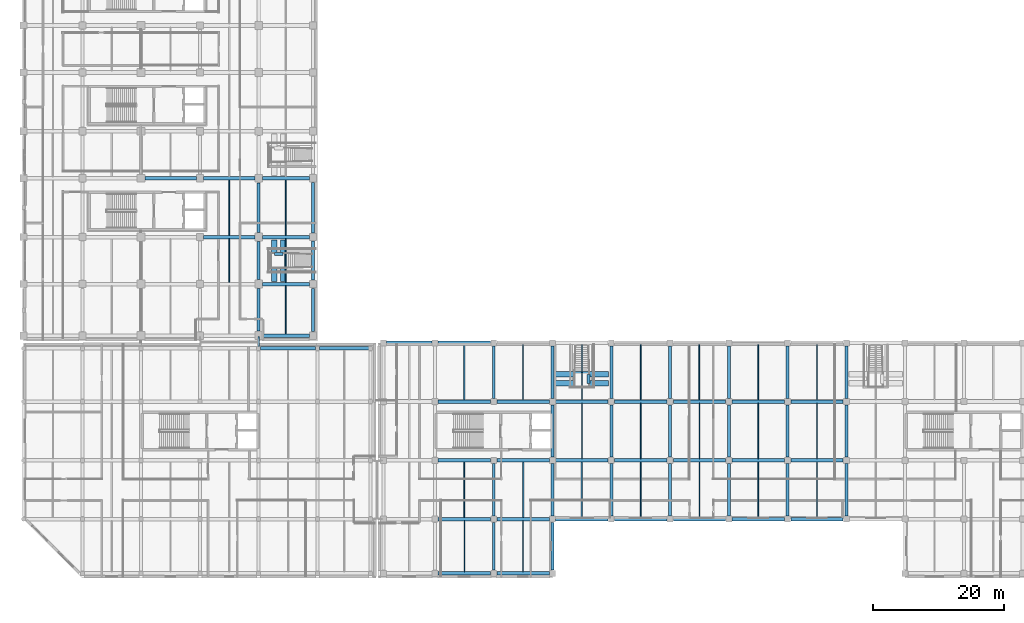
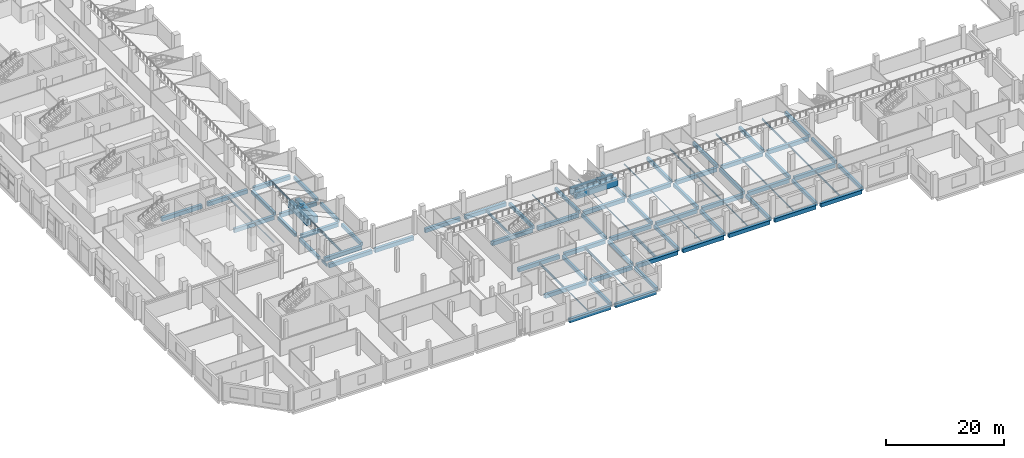
# One storey, part 10 of 100: 95 beams.
"""IFC4 building model written with IfcOpenShell, lengths in metres."""

import ifcopenshell
import ifcopenshell.guid

model = None  # the IFC model being written
_history = None  # IfcOwnerHistory: only IFC2X3 demands one
_inside = {}  # id of a spatial element -> (the spatial element, [elements in it])
_under = {}  # id of a project, library or spatial element -> (it, [spatial elements below it])
_declared = {}  # id of a project -> (the project, [libraries it declares])
_typed = {}  # id of a type object -> (the type object, [elements of that type])
_made_of = {}  # id of a material, layer set ... -> (it, [elements and type objects made of it])


def new_model(schema):
    """Start an empty IFC model of exactly this schema.

    Asked for "IFC4X3", IfcOpenShell would pick the latest addendum, in which some entities
    have other attributes; the version numbers below select the first issue.
    IFC2X3 requires an IfcOwnerHistory on every rooted entity: one is made here for all.
    """
    global model, _history
    if schema == "IFC4X3":
        model = ifcopenshell.file(schema_version=(4, 3, 0, 0))
    else:
        model = ifcopenshell.file(schema=schema)
    _inside.clear()
    _under.clear()
    _declared.clear()
    _typed.clear()
    _made_of.clear()
    _history = None
    if model.schema == "IFC2X3":
        org = make("IfcOrganization", Name="unknown")
        user = make(
            "IfcPersonAndOrganization",
            ThePerson=make("IfcPerson", FamilyName="unknown"),
            TheOrganization=org,
        )
        app = make(
            "IfcApplication",
            ApplicationDeveloper=org,
            Version="unknown",
            ApplicationFullName="unknown",
            ApplicationIdentifier="unknown",
        )
        _history = make(
            "IfcOwnerHistory",
            OwningUser=user,
            OwningApplication=app,
            ChangeAction="ADDED",
            CreationDate=0,
        )
    return model


def make(cls, **values):
    """One entity of the class cls with the attributes given. An attribute that is None is left unset."""
    return model.create_entity(
        cls, **{name: value for name, value in values.items() if value is not None}
    )


def rooted(cls, **values):
    """An entity with a GlobalId (a new one), such as an element, a storey or a relation."""
    return make(cls, GlobalId=ifcopenshell.guid.new(), OwnerHistory=_history, **values)


def si_unit(unit_type, name, prefix=None):
    """IfcSIUnit, for example si_unit("LENGTHUNIT", "METRE", prefix="MILLI")."""
    return make("IfcSIUnit", UnitType=unit_type, Prefix=prefix, Name=name)


def assignment(units):
    """IfcUnitAssignment: the units of a project."""
    return None if units is None else make("IfcUnitAssignment", Units=units)


def point(xyz):
    """IfcCartesianPoint."""
    return None if xyz is None else make("IfcCartesianPoint", Coordinates=xyz)


def direction(xyz):
    """IfcDirection."""
    return None if xyz is None else make("IfcDirection", DirectionRatios=xyz)


def frame(location, z_axis=None, x_axis=None):
    """IfcAxis2Placement3D, a coordinate frame: its origin and axes. An axis left out is left unset."""
    return make(
        "IfcAxis2Placement3D",
        Location=point(location),
        Axis=direction(z_axis),
        RefDirection=direction(x_axis),
    )


def frame_2d(location, x_axis=None):
    """IfcAxis2Placement2D, a coordinate frame in the plane: its origin and x axis."""
    return make(
        "IfcAxis2Placement2D", Location=point(location), RefDirection=direction(x_axis)
    )


def origin():
    """The frame at (0, 0, 0) with its axes left unset."""
    return frame((0.0, 0.0, 0.0))


def origin_2d():
    """The frame at (0, 0) in the plane with its x axis left unset."""
    return frame_2d((0.0, 0.0))


def place(relative_to, where):
    """IfcLocalPlacement: puts the frame where relative to a parent placement (None: the world)."""
    return make(
        "IfcLocalPlacement", PlacementRelTo=relative_to, RelativePlacement=where
    )


def context(
    kind, dimensions, precision=None, world=None, true_north=None, identifier=None
):
    """IfcGeometricRepresentationContext, for example the 3D "Model" context."""
    return make(
        "IfcGeometricRepresentationContext",
        ContextIdentifier=identifier,
        ContextType=kind,
        CoordinateSpaceDimension=dimensions,
        Precision=precision,
        WorldCoordinateSystem=world,
        TrueNorth=true_north,
    )


def subcontext(parent, identifier, kind, view, scale=None):
    """IfcGeometricRepresentationSubContext, for example "Body" below "Model"."""
    return make(
        "IfcGeometricRepresentationSubContext",
        ContextIdentifier=identifier,
        ContextType=kind,
        ParentContext=parent,
        TargetScale=scale,
        TargetView=view,
    )


def project(units=None, contexts=None):
    """IfcProject with its units and contexts."""
    return rooted(
        "IfcProject",
        Name="project",
        RepresentationContexts=contexts,
        UnitsInContext=assignment(units),
    )


def spatial(cls, under=None, at=None, **own):
    """A site, building, storey or space (cls), placed at a placement, below another one or the project."""
    s = rooted(cls, ObjectPlacement=at, **own)
    if under is not None:
        _under.setdefault(under.id(), (under, []))[1].append(s)
    return s


def profile(cls, at=None, kind="AREA", **sizes):
    """A parametric profile (cls). Its sizes go by their IFC names, for example OverallWidth=200.0."""
    return make(cls, ProfileType=kind, Position=at, **sizes)


def rectangle(**sizes):
    """IfcRectangleProfileDef."""
    return profile("IfcRectangleProfileDef", **sizes)


def hollow_rectangle(**sizes):
    """IfcRectangleHollowProfileDef."""
    return profile("IfcRectangleHollowProfileDef", **sizes)


def i_section(**sizes):
    """IfcIShapeProfileDef."""
    return profile("IfcIShapeProfileDef", **sizes)


def extrude(swept, where, along, depth):
    """IfcExtrudedAreaSolid: the profile swept, set in the frame where, extruded along a direction by depth."""
    return make(
        "IfcExtrudedAreaSolid",
        SweptArea=swept,
        Position=where,
        ExtrudedDirection=direction(along),
        Depth=depth,
    )


def shape(context_of_items, identifier, shape_type, items):
    """IfcShapeRepresentation: the items that make up one representation, for example the "Body"."""
    return make(
        "IfcShapeRepresentation",
        ContextOfItems=context_of_items,
        RepresentationIdentifier=identifier,
        RepresentationType=shape_type,
        Items=items,
    )


def material(Name=None, Category=None):
    """IfcMaterial."""
    return make("IfcMaterial", Name=Name, Category=Category)


def material_profile(
    of_material, cross_section, Name=None, Category=None, Priority=None
):
    """IfcMaterialProfile: a cross section and its material."""
    return make(
        "IfcMaterialProfile",
        Name=Name,
        Material=of_material,
        Profile=cross_section,
        Priority=Priority,
        Category=Category,
    )


def profile_set(profiles, Name=None, composite=None):
    """IfcMaterialProfileSet."""
    return make(
        "IfcMaterialProfileSet",
        Name=Name,
        MaterialProfiles=profiles,
        CompositeProfile=composite,
    )


def made_of(thing, what):
    """Note that an element or type object is made of a material, layer set ...; save() writes the relation."""
    if what is not None:
        _made_of.setdefault(what.id(), (what, []))[1].append(thing)
    return thing


def type_object(cls, material=None, **own):
    """A type object (cls), such as IfcWallType, which elements share."""
    return made_of(rooted(cls, **own), material)


def element(
    cls,
    number,
    at=None,
    inside=None,
    cuts=None,
    type_object=None,
    material=None,
    context=None,
    identifier="Body",
    shape_type=None,
    held_by="IfcProductDefinitionShape",
    body=None,
    shapes=None,
    **own,
):
    """One element of the class cls, such as IfcWall. Its Tag is "e" and its number.

    at: its placement. inside: the storey or other place that contains it. cuts: it is an
    opening in that element (IfcRelVoidsElement). A single representation is given by context,
    identifier, shape_type and body (its items); several are given by shapes. held_by: the class
    of the entity that holds the representations. save() writes the other relations.
    """
    e = rooted(cls, Tag="e%d" % number, ObjectPlacement=at, **own)
    if body is not None:
        shapes = [shape(context, identifier, shape_type, body)]
    if shapes is not None:
        e.Representation = make(held_by, Representations=shapes)
    if inside is not None:
        _inside.setdefault(inside.id(), (inside, []))[1].append(e)
    if cuts is not None:
        rooted(
            "IfcRelVoidsElement", RelatingBuildingElement=cuts, RelatedOpeningElement=e
        )
    if type_object is not None:
        _typed.setdefault(type_object.id(), (type_object, []))[1].append(e)
    return made_of(e, material)


def aggregate(whole, parts):
    """IfcRelAggregates: a whole, such as a stair, and the parts it consists of."""
    return rooted("IfcRelAggregates", RelatingObject=whole, RelatedObjects=parts)


def save(model, path):
    """Write the relations noted so far, then the file.

    IfcRelAggregates (storeys below a building ...), IfcRelContainedInSpatialStructure (elements
    in a storey), IfcRelDefinesByType, IfcRelAssociatesMaterial and IfcRelDeclares: one each for
    every whole, place, type object, material and project.
    """
    for whole, parts in _under.values():
        aggregate(whole, parts)
    for where, things in _inside.values():
        rooted(
            "IfcRelContainedInSpatialStructure",
            RelatedElements=things,
            RelatingStructure=where,
        )
    for kind, things in _typed.values():
        rooted("IfcRelDefinesByType", RelatedObjects=things, RelatingType=kind)
    for what, things in _made_of.values():
        rooted("IfcRelAssociatesMaterial", RelatedObjects=things, RelatingMaterial=what)
    for by, libraries in _declared.values():
        rooted("IfcRelDeclares", RelatingContext=by, RelatedDefinitions=libraries)
    model.write(path)


model = new_model("IFC4")

# Units and contexts
model_context = context("Model", 3, precision=1e-05, world=origin(), true_north=direction((0.0, 1.0)))
body_context = subcontext(model_context, "Body", "Model", "MODEL_VIEW")
ifc_project = project(units=[si_unit("LENGTHUNIT", "METRE"), si_unit("AREAUNIT", "SQUARE_METRE"), si_unit("VOLUMEUNIT", "CUBIC_METRE"), si_unit("PLANEANGLEUNIT", "RADIAN"), si_unit("MASSUNIT", "GRAM", prefix="KILO"), si_unit("THERMODYNAMICTEMPERATUREUNIT", "KELVIN"), si_unit("POWERUNIT", "WATT")], contexts=[model_context])

# Site, building, storey
site_placement = place(None, origin())
site = spatial("IfcSite", under=ifc_project, at=site_placement, CompositionType="ELEMENT")
building_placement = place(site_placement, origin())
building = spatial("IfcBuilding", under=site, at=building_placement, Name="Sindhuravela Promenade Stadium", CompositionType="ELEMENT")
storey_placement = place(building_placement, frame((0.0, 0.0, 4.800048828125)))
storey = spatial("IfcBuildingStorey", under=building, at=storey_placement, Name="L01", CompositionType="ELEMENT", Elevation=4.800048828125)

# Beams
ifc_material_1 = material(Name="Concrete M40", Category="concrete")
ifc_material_profile_1 = material_profile(ifc_material_1, rectangle(XDim=0.449951171875, YDim=0.699951171875, at=origin_2d()), Name="RC 450x700")
ifc_profile_set_1 = profile_set([ifc_material_profile_1], Name="Concrete M40")
beam_type_1 = type_object("IfcBeamType", Name="RC-BM-450x700", PredefinedType="BEAM", material=ifc_profile_set_1)
beam_1_placement = place(storey_placement, frame((36.0, 37.7900390625, -0.650146484375), z_axis=(0.0, 1.0, 0.0), x_axis=(-1.0, 0.0, 0.0)))
element("IfcBeam", 1, at=beam_1_placement, inside=storey, type_object=beam_type_1, Name="Primary beam GB07 WEST L01", PredefinedType="BEAM", context=body_context, shape_type="SweptSolid", body=[
    extrude(rectangle(XDim=0.449951171875, YDim=0.699951171875, at=origin_2d()), origin(), (0.0, 0.0, 1.0), 6.52001953125),
])
beam_2_placement = place(storey_placement, frame((36.0, 45.68994140625, -0.650146484375), z_axis=(0.0, 1.0, 0.0), x_axis=(-1.0, 0.0, 0.0)))
element("IfcBeam", 2, at=beam_2_placement, inside=storey, type_object=beam_type_1, Name="Primary beam GB07 WEST L01", PredefinedType="BEAM", context=body_context, shape_type="SweptSolid", body=[
    extrude(rectangle(XDim=0.449951171875, YDim=0.699951171875, at=origin_2d()), origin(), (0.0, 0.0, 1.0), 5.820068359375),
])
beam_3_placement = place(storey_placement, frame((36.0, 52.889892578125, -0.650146484375), z_axis=(0.0, 1.0, 0.0), x_axis=(-1.0, 0.0, 0.0)))
element("IfcBeam", 3, at=beam_3_placement, inside=storey, type_object=beam_type_1, Name="Primary beam GB07 WEST L01", PredefinedType="BEAM", context=body_context, shape_type="SweptSolid", body=[
    extrude(rectangle(XDim=0.449951171875, YDim=0.699951171875, at=origin_2d()), origin(), (0.0, 0.0, 1.0), 7.6201171875),
])
beam_4_placement = place(storey_placement, frame((44.300048828125, 37.739990234375, -0.650146484375), z_axis=(0.0, 1.0, 0.0), x_axis=(-1.0, 0.0, 0.0)))
element("IfcBeam", 4, at=beam_4_placement, inside=storey, type_object=beam_type_1, Name="Primary beam GB07 WEST L01", PredefinedType="BEAM", context=body_context, shape_type="SweptSolid", body=[
    extrude(rectangle(XDim=0.449951171875, YDim=0.699951171875, at=origin_2d()), origin(), (0.0, 0.0, 1.0), 6.6201171875),
])
beam_5_placement = place(storey_placement, frame((44.300048828125, 45.639892578125, -0.650146484375), z_axis=(0.0, 1.0, 0.0), x_axis=(-1.0, 0.0, 0.0)))
element("IfcBeam", 5, at=beam_5_placement, inside=storey, type_object=beam_type_1, Name="Primary beam GB07 WEST L01", PredefinedType="BEAM", context=body_context, shape_type="SweptSolid", body=[
    extrude(rectangle(XDim=0.449951171875, YDim=0.699951171875, at=origin_2d()), origin(), (0.0, 0.0, 1.0), 5.920166015625),
])
beam_6_placement = place(storey_placement, frame((44.300048828125, 52.840087890625, -0.650146484375), z_axis=(0.0, 1.0, 0.0), x_axis=(-1.0, 0.0, 0.0)))
element("IfcBeam", 6, at=beam_6_placement, inside=storey, type_object=beam_type_1, Name="Primary beam GB07 WEST L01", PredefinedType="BEAM", context=body_context, shape_type="SweptSolid", body=[
    extrude(rectangle(XDim=0.449951171875, YDim=0.699951171875, at=origin_2d()), origin(), (0.0, 0.0, 1.0), 7.719970703125),
])
beam_7_placement = place(storey_placement, frame((72.0, 1.18994140625, -0.650146484375), z_axis=(0.0, 1.0, 0.0), x_axis=(-1.0, 0.0, 0.0)))
element("IfcBeam", 7, at=beam_7_placement, inside=storey, type_object=beam_type_1, Name="Primary beam GB07 SOUTH L01", PredefinedType="BEAM", context=body_context, shape_type="SweptSolid", body=[
    extrude(rectangle(XDim=0.449951171875, YDim=0.699951171875, at=origin_2d()), origin(), (0.0, 0.0, 1.0), 7.320068359375),
])
for number, where, z_axis, x_axis, name in (
    (8, (72.0, 9.489990234375, -0.650146484375), (0.0, 1.0, 0.0), (-1.0, 0.0, 0.0), "Primary beam GB07 SOUTH L01"),
    (9, (72.0, 27.489990234375, -0.650146484375), (0.0, 1.0, 0.0), (-1.0, 0.0, 0.0), "Primary beam GB07 SOUTH L01"),
):
    element("IfcBeam", number, at=place(storey_placement, frame(where, z_axis=z_axis, x_axis=x_axis)), inside=storey, type_object=beam_type_1, Name=name, PredefinedType="BEAM", context=body_context, shape_type="SweptSolid", body=[
        extrude(rectangle(XDim=0.449951171875, YDim=0.699951171875, at=origin_2d()), origin(), (0.0, 0.0, 1.0), 8.02001953125),
    ])
beam_8_placement = place(storey_placement, frame((81.0, 1.18994140625, -0.650146484375), z_axis=(0.0, 1.0, 0.0), x_axis=(-1.0, 0.0, 0.0)))
element("IfcBeam", 10, at=beam_8_placement, inside=storey, type_object=beam_type_1, Name="Primary beam GB07 SOUTH L01", PredefinedType="BEAM", context=body_context, shape_type="SweptSolid", body=[
    extrude(rectangle(XDim=0.449951171875, YDim=0.699951171875, at=origin_2d()), origin(), (0.0, 0.0, 1.0), 7.320068359375),
])
for number, where, z_axis, x_axis, name in (
    (11, (81.0, 9.489990234375, -0.650146484375), (0.0, 1.0, 0.0), (-1.0, 0.0, 0.0), "Primary beam GB07 SOUTH L01"),
    (12, (81.0, 18.489990234375, -0.650146484375), (0.0, 1.0, 0.0), (-1.0, 0.0, 0.0), "Primary beam GB07 SOUTH L01"),
    (13, (81.0, 27.489990234375, -0.650146484375), (0.0, 1.0, 0.0), (-1.0, 0.0, 0.0), "Primary beam GB07 SOUTH L01"),
    (14, (90.0, 9.489990234375, -0.650146484375), (0.0, 1.0, 0.0), (-1.0, 0.0, 0.0), "Primary beam GB07 SOUTH L01"),
    (15, (90.0, 18.489990234375, -0.650146484375), (0.0, 1.0, 0.0), (-1.0, 0.0, 0.0), "Primary beam GB07 SOUTH L01"),
    (16, (90.0, 27.489990234375, -0.650146484375), (0.0, 1.0, 0.0), (-1.0, 0.0, 0.0), "Primary beam GB07 SOUTH L01"),
    (17, (99.0, 9.489990234375, -0.650146484375), (0.0, 1.0, 0.0), (-1.0, 0.0, 0.0), "Primary beam GB07 SOUTH L01"),
    (18, (99.0, 18.489990234375, -0.650146484375), (0.0, 1.0, 0.0), (-1.0, 0.0, 0.0), "Primary beam GB07 SOUTH L01"),
    (19, (99.0, 27.489990234375, -0.650146484375), (0.0, 1.0, 0.0), (-1.0, 0.0, 0.0), "Primary beam GB07 SOUTH L01"),
    (20, (108.0, 9.489990234375, -0.650146484375), (0.0, 1.0, 0.0), (-1.0, 0.0, 0.0), "Primary beam GB07 SOUTH L01"),
    (21, (108.0, 18.489990234375, -0.650146484375), (0.0, 1.0, 0.0), (-1.0, 0.0, 0.0), "Primary beam GB07 SOUTH L01"),
    (22, (108.0, 27.489990234375, -0.650146484375), (0.0, 1.0, 0.0), (-1.0, 0.0, 0.0), "Primary beam GB07 SOUTH L01"),
    (23, (117.0, 9.489990234375, -0.650146484375), (0.0, 1.0, 0.0), (-1.0, 0.0, 0.0), "Primary beam GB07 SOUTH L01"),
    (24, (117.0, 18.489990234375, -0.650146484375), (0.0, 1.0, 0.0), (-1.0, 0.0, 0.0), "Primary beam GB07 SOUTH L01"),
    (25, (117.0, 27.489990234375, -0.650146484375), (0.0, 1.0, 0.0), (-1.0, 0.0, 0.0), "Primary beam GB07 SOUTH L01"),
    (26, (126.0, 9.489990234375, -0.650146484375), (0.0, 1.0, 0.0), (-1.0, 0.0, 0.0), "Primary beam GB07 SOUTH L01"),
    (27, (126.0, 18.489990234375, -0.650146484375), (0.0, 1.0, 0.0), (-1.0, 0.0, 0.0), "Primary beam GB07 SOUTH L01"),
    (28, (126.0, 27.489990234375, -0.650146484375), (0.0, 1.0, 0.0), (-1.0, 0.0, 0.0), "Primary beam GB07 SOUTH L01"),
):
    element("IfcBeam", number, at=place(storey_placement, frame(where, z_axis=z_axis, x_axis=x_axis)), inside=storey, type_object=beam_type_1, Name=name, PredefinedType="BEAM", context=body_context, shape_type="SweptSolid", body=[
        extrude(rectangle(XDim=0.449951171875, YDim=0.699951171875, at=origin_2d()), origin(), (0.0, 0.0, 1.0), 8.02001953125),
    ])
beam_9_placement = place(storey_placement, frame((39.75, 49.580078125, 1.655029296875), z_axis=(-1.0, 0.0, 0.0), x_axis=(0.0, -1.0, 0.0)))
element("IfcBeam", 29, at=beam_9_placement, inside=storey, type_object=beam_type_1, Name="Vomitory VS01 landing edge stringer", PredefinedType="BEAM", context=body_context, shape_type="SweptSolid", body=[
    extrude(rectangle(XDim=0.449951171875, YDim=0.699951171875, at=origin_2d()), origin(), (0.0, 0.0, 1.0), 1.35009765625),
])
beam_10_placement = place(storey_placement, frame((86.47998046875, 31.159912109375, 1.655029296875), z_axis=(0.0, -1.0, 0.0), x_axis=(1.0, 0.0, 0.0)))
element("IfcBeam", 30, at=beam_10_placement, inside=storey, type_object=beam_type_1, Name="Vomitory VS11 landing edge stringer", PredefinedType="BEAM", context=body_context, shape_type="SweptSolid", body=[
    extrude(rectangle(XDim=0.449951171875, YDim=0.699951171875, at=origin_2d()), origin(), (0.0, 0.0, 1.0), 1.349853515625),
])
ifc_material_profile_2 = material_profile(ifc_material_1, rectangle(XDim=0.550048828125, YDim=0.800048828125, at=origin_2d()), Name="RC 550x800")
ifc_profile_set_2 = profile_set([ifc_material_profile_2], Name="Concrete M40")
beam_type_2 = type_object("IfcBeamType", Name="RC-BM-550x800", PredefinedType="BEAM", material=ifc_profile_set_2)
for number, where, z_axis, x_axis, name in (
    (31, (36.590087890625, 37.10009765625, -0.699951171875), (1.0, 0.0, 0.0), (0.0, 1.0, 0.0), "Primary girder GB05 WEST L01"),
    (32, (36.590087890625, 45.0, -0.699951171875), (1.0, 0.0, 0.0), (0.0, 1.0, 0.0), "Primary girder GB05 WEST L01"),
):
    element("IfcBeam", number, at=place(storey_placement, frame(where, z_axis=z_axis, x_axis=x_axis)), inside=storey, type_object=beam_type_2, Name=name, PredefinedType="BEAM", context=body_context, shape_type="SweptSolid", body=[
        extrude(rectangle(XDim=0.550048828125, YDim=0.800048828125, at=origin_2d()), origin(), (0.0, 0.0, 1.0), 7.169921875),
    ])
beam_11_placement = place(storey_placement, frame((27.5400390625, 52.199951171875, -0.699951171875), z_axis=(1.0, 0.0, 0.0), x_axis=(0.0, 1.0, 0.0)))
element("IfcBeam", 33, at=beam_11_placement, inside=storey, type_object=beam_type_2, Name="Primary girder GB05 WEST L01", PredefinedType="BEAM", context=body_context, shape_type="SweptSolid", body=[
    extrude(rectangle(XDim=0.550048828125, YDim=0.800048828125, at=origin_2d()), origin(), (0.0, 0.0, 1.0), 7.869873046875),
])
beam_12_placement = place(storey_placement, frame((36.590087890625, 52.199951171875, -0.699951171875), z_axis=(1.0, 0.0, 0.0), x_axis=(0.0, 1.0, 0.0)))
element("IfcBeam", 34, at=beam_12_placement, inside=storey, type_object=beam_type_2, Name="Primary girder GB05 WEST L01", PredefinedType="BEAM", context=body_context, shape_type="SweptSolid", body=[
    extrude(rectangle(XDim=0.550048828125, YDim=0.800048828125, at=origin_2d()), origin(), (0.0, 0.0, 1.0), 7.169921875),
])
for number, where, z_axis, x_axis, name in (
    (35, (18.590087890625, 61.199951171875, -0.699951171875), (1.0, 0.0, 0.0), (0.0, 1.0, 0.0), "Primary girder GB05 WEST L01"),
    (36, (27.5400390625, 61.199951171875, -0.699951171875), (1.0, 0.0, 0.0), (0.0, 1.0, 0.0), "Primary girder GB05 WEST L01"),
):
    element("IfcBeam", number, at=place(storey_placement, frame(where, z_axis=z_axis, x_axis=x_axis)), inside=storey, type_object=beam_type_2, Name=name, PredefinedType="BEAM", context=body_context, shape_type="SweptSolid", body=[
        extrude(rectangle(XDim=0.550048828125, YDim=0.800048828125, at=origin_2d()), origin(), (0.0, 0.0, 1.0), 7.869873046875),
    ])
beam_13_placement = place(storey_placement, frame((36.590087890625, 61.199951171875, -0.699951171875), z_axis=(1.0, 0.0, 0.0), x_axis=(0.0, 1.0, 0.0)))
element("IfcBeam", 37, at=beam_13_placement, inside=storey, type_object=beam_type_2, Name="Primary girder GB05 WEST L01", PredefinedType="BEAM", context=body_context, shape_type="SweptSolid", body=[
    extrude(rectangle(XDim=0.550048828125, YDim=0.800048828125, at=origin_2d()), origin(), (0.0, 0.0, 1.0), 7.169921875),
])
for number, where, z_axis, x_axis, name in (
    (38, (63.489990234375, 0.699951171875, -0.699951171875), (1.0, 0.0, 0.0), (0.0, 1.0, 0.0), "Primary girder GB05 SOUTH L01"),
    (39, (72.489990234375, 0.699951171875, -0.699951171875), (1.0, 0.0, 0.0), (0.0, 1.0, 0.0), "Primary girder GB05 SOUTH L01"),
    (40, (63.489990234375, 9.0, -0.699951171875), (1.0, 0.0, 0.0), (0.0, 1.0, 0.0), "Primary girder GB05 SOUTH L01"),
    (41, (72.489990234375, 9.0, -0.699951171875), (1.0, 0.0, 0.0), (0.0, 1.0, 0.0), "Primary girder GB05 SOUTH L01"),
    (42, (81.489990234375, 9.0, -0.699951171875), (1.0, 0.0, 0.0), (0.0, 1.0, 0.0), "Primary girder GB05 SOUTH L01"),
    (43, (90.489990234375, 9.0, -0.699951171875), (1.0, 0.0, 0.0), (0.0, 1.0, 0.0), "Primary girder GB05 SOUTH L01"),
    (44, (99.489990234375, 9.0, -0.699951171875), (1.0, 0.0, 0.0), (0.0, 1.0, 0.0), "Primary girder GB05 SOUTH L01"),
    (45, (108.489990234375, 9.0, -0.699951171875), (1.0, 0.0, 0.0), (0.0, 1.0, 0.0), "Primary girder GB05 SOUTH L01"),
    (46, (117.489990234375, 9.0, -0.699951171875), (1.0, 0.0, 0.0), (0.0, 1.0, 0.0), "Primary girder GB05 SOUTH L01"),
    (47, (63.489990234375, 18.0, -0.699951171875), (1.0, 0.0, 0.0), (0.0, 1.0, 0.0), "Primary girder GB05 SOUTH L01"),
    (48, (72.489990234375, 18.0, -0.699951171875), (1.0, 0.0, 0.0), (0.0, 1.0, 0.0), "Primary girder GB05 SOUTH L01"),
    (49, (81.489990234375, 18.0, -0.699951171875), (1.0, 0.0, 0.0), (0.0, 1.0, 0.0), "Primary girder GB05 SOUTH L01"),
    (50, (90.489990234375, 18.0, -0.699951171875), (1.0, 0.0, 0.0), (0.0, 1.0, 0.0), "Primary girder GB05 SOUTH L01"),
    (51, (99.489990234375, 18.0, -0.699951171875), (1.0, 0.0, 0.0), (0.0, 1.0, 0.0), "Primary girder GB05 SOUTH L01"),
    (52, (108.489990234375, 18.0, -0.699951171875), (1.0, 0.0, 0.0), (0.0, 1.0, 0.0), "Primary girder GB05 SOUTH L01"),
    (53, (117.489990234375, 18.0, -0.699951171875), (1.0, 0.0, 0.0), (0.0, 1.0, 0.0), "Primary girder GB05 SOUTH L01"),
    (54, (63.489990234375, 27.0, -0.699951171875), (1.0, 0.0, 0.0), (0.0, 1.0, 0.0), "Primary girder GB05 SOUTH L01"),
    (55, (72.489990234375, 27.0, -0.699951171875), (1.0, 0.0, 0.0), (0.0, 1.0, 0.0), "Primary girder GB05 SOUTH L01"),
    (56, (81.489990234375, 27.0, -0.699951171875), (1.0, 0.0, 0.0), (0.0, 1.0, 0.0), "Primary girder GB05 SOUTH L01"),
    (57, (90.489990234375, 27.0, -0.699951171875), (1.0, 0.0, 0.0), (0.0, 1.0, 0.0), "Primary girder GB05 SOUTH L01"),
    (58, (99.489990234375, 27.0, -0.699951171875), (1.0, 0.0, 0.0), (0.0, 1.0, 0.0), "Primary girder GB05 SOUTH L01"),
    (59, (108.489990234375, 27.0, -0.699951171875), (1.0, 0.0, 0.0), (0.0, 1.0, 0.0), "Primary girder GB05 SOUTH L01"),
    (60, (117.489990234375, 27.0, -0.699951171875), (1.0, 0.0, 0.0), (0.0, 1.0, 0.0), "Primary girder GB05 SOUTH L01"),
):
    element("IfcBeam", number, at=place(storey_placement, frame(where, z_axis=z_axis, x_axis=x_axis)), inside=storey, type_object=beam_type_2, Name=name, PredefinedType="BEAM", context=body_context, shape_type="SweptSolid", body=[
        extrude(rectangle(XDim=0.550048828125, YDim=0.800048828125, at=origin_2d()), origin(), (0.0, 0.0, 1.0), 8.02001953125),
    ])
beam_14_placement = place(storey_placement, frame((55.590087890625, 36.0, -0.699951171875), z_axis=(1.0, 0.0, 0.0), x_axis=(0.0, 1.0, 0.0)))
element("IfcBeam", 61, at=beam_14_placement, inside=storey, type_object=beam_type_2, Name="Primary girder GB05 SOUTH L01", PredefinedType="BEAM", context=body_context, shape_type="SweptSolid", body=[
    extrude(rectangle(XDim=0.550048828125, YDim=0.800048828125, at=origin_2d()), origin(), (0.0, 0.0, 1.0), 6.919921875),
])
beam_15_placement = place(storey_placement, frame((63.489990234375, 36.0, -0.699951171875), z_axis=(1.0, 0.0, 0.0), x_axis=(0.0, 1.0, 0.0)))
element("IfcBeam", 62, at=beam_15_placement, inside=storey, type_object=beam_type_2, Name="Primary girder GB05 SOUTH L01", PredefinedType="BEAM", context=body_context, shape_type="SweptSolid", body=[
    extrude(rectangle(XDim=0.550048828125, YDim=0.800048828125, at=origin_2d()), origin(), (0.0, 0.0, 1.0), 8.02001953125),
])
beam_16_placement = place(storey_placement, frame((36.2900390625, 35.14990234375, -0.699951171875), z_axis=(1.0, 0.0, 0.0), x_axis=(0.0, 1.0, 0.0)))
element("IfcBeam", 63, at=beam_16_placement, inside=storey, type_object=beam_type_2, Name="Primary girder GB05 Pavilion SW L01", PredefinedType="BEAM", context=body_context, shape_type="SweptSolid", body=[
    extrude(rectangle(XDim=0.550048828125, YDim=0.800048828125, at=origin_2d()), origin(), (0.0, 0.0, 1.0), 8.419921875),
])
beam_17_placement = place(storey_placement, frame((45.2900390625, 35.14990234375, -0.699951171875), z_axis=(1.0, 0.0, 0.0), x_axis=(0.0, 1.0, 0.0)))
element("IfcBeam", 64, at=beam_17_placement, inside=storey, type_object=beam_type_2, Name="Primary girder GB05 Pavilion SW L01", PredefinedType="BEAM", context=body_context, shape_type="SweptSolid", body=[
    extrude(rectangle(XDim=0.550048828125, YDim=0.800048828125, at=origin_2d()), origin(), (0.0, 0.0, 1.0), 7.570068359375),
])
ifc_material_2 = material(Name="Concrete M50", Category="concrete")
ifc_material_profile_3 = material_profile(ifc_material_2, rectangle(XDim=0.85009765625, YDim=1.35009765625, at=origin_2d()), Name="RC 850x1350")
ifc_profile_set_3 = profile_set([ifc_material_profile_3], Name="Concrete M50")
beam_type_3 = type_object("IfcBeamType", Name="RC-RK-850x1350", PredefinedType="USERDEFINED", material=ifc_profile_set_3)
for number, where, z_axis, x_axis, name in (
    (65, (39.75, 45.4150390625, 1.329833984375), (0.0, 1.0, 0.0), (-1.0, 0.0, 0.0), "Vomitory VS01 landing trimmer beam 1"),
    (66, (38.39990234375, 45.4150390625, 1.329833984375), (0.0, 1.0, 0.0), (-1.0, 0.0, 0.0), "Vomitory VS01 landing trimmer beam 2"),
):
    element("IfcBeam", number, at=place(storey_placement, frame(where, z_axis=z_axis, x_axis=x_axis)), inside=storey, type_object=beam_type_3, Name=name, ObjectType="RAKER", PredefinedType="USERDEFINED", context=body_context, shape_type="SweptSolid", body=[
        extrude(rectangle(XDim=0.85009765625, YDim=1.35009765625, at=origin_2d()), origin(), (0.0, 0.0, 1.0), 6.369873046875),
    ])
for number, where, z_axis, x_axis, name in (
    (67, (81.389892578125, 31.159912109375, 1.329833984375), (1.0, 0.0, 0.0), (0.0, 1.0, 0.0), "Vomitory VS11 landing trimmer beam 1"),
    (68, (81.389892578125, 29.81005859375, 1.329833984375), (1.0, 0.0, 0.0), (0.0, 1.0, 0.0), "Vomitory VS11 landing trimmer beam 2"),
):
    element("IfcBeam", number, at=place(storey_placement, frame(where, z_axis=z_axis, x_axis=x_axis)), inside=storey, type_object=beam_type_3, Name=name, ObjectType="RAKER", PredefinedType="USERDEFINED", context=body_context, shape_type="SweptSolid", body=[
        extrude(rectangle(XDim=0.85009765625, YDim=1.35009765625, at=origin_2d()), origin(), (0.0, 0.0, 1.0), 8.22021484375),
    ])
ifc_material_3 = material(Name="Steel E350 (IS 2062 E350BR)", Category="steel")
ifc_material_profile_4 = material_profile(ifc_material_3, hollow_rectangle(XDim=0.10009765625, YDim=0.199951171875, WallThickness=0.008056640625, at=origin_2d()), Name="RHS 200x100x8")
ifc_profile_set_4 = profile_set([ifc_material_profile_4], Name="Steel E350 (IS 2062 E350BR)")
beam_type_4 = type_object("IfcBeamType", Name="ST-BM-LNT200", PredefinedType="LINTEL", material=ifc_profile_set_4)
beam_18_placement = place(storey_placement, frame((67.5, 0.965087890625, -0.400146484375), z_axis=(0.0, 1.0, 0.0), x_axis=(-1.0, 0.0, 0.0)))
element("IfcBeam", 69, at=beam_18_placement, inside=storey, type_object=beam_type_4, Name="Secondary floor joist LN01 SOUTH L01", PredefinedType="LINTEL", context=body_context, shape_type="SweptSolid", body=[
    extrude(hollow_rectangle(XDim=0.10009765625, YDim=0.199951171875, WallThickness=0.008056640625, at=origin_2d()), origin(), (0.0, 0.0, 1.0), 7.77001953125),
])
for number, where, z_axis, x_axis, name in (
    (70, (94.5, 9.264892578125, -0.400146484375), (0.0, 1.0, 0.0), (-1.0, 0.0, 0.0), "Secondary floor joist LN01 SOUTH L01"),
    (71, (85.5, 18.264892578125, -0.400146484375), (0.0, 1.0, 0.0), (-1.0, 0.0, 0.0), "Secondary floor joist LN01 SOUTH L01"),
    (72, (76.5, 27.264892578125, -0.400146484375), (0.0, 1.0, 0.0), (-1.0, 0.0, 0.0), "Secondary floor joist LN01 SOUTH L01"),
):
    element("IfcBeam", number, at=place(storey_placement, frame(where, z_axis=z_axis, x_axis=x_axis)), inside=storey, type_object=beam_type_4, Name=name, PredefinedType="LINTEL", context=body_context, shape_type="SweptSolid", body=[
        extrude(hollow_rectangle(XDim=0.10009765625, YDim=0.199951171875, WallThickness=0.008056640625, at=origin_2d()), origin(), (0.0, 0.0, 1.0), 8.47021484375),
    ])
ifc_material_profile_5 = material_profile(ifc_material_3, i_section(OverallWidth=0.10009765625, OverallDepth=0.199951171875, WebThickness=0.005615234375, FlangeThickness=0.0107421875, FilletRadius=0.010986328125, at=origin_2d()), Name="ISMB 200")
ifc_profile_set_5 = profile_set([ifc_material_profile_5], Name="Steel E350 (IS 2062 E350BR)")
beam_type_5 = type_object("IfcBeamType", Name="ST-BM-MB200", PredefinedType="JOIST", material=ifc_profile_set_5)
beam_19_placement = place(storey_placement, frame((31.5, 45.264892578125, -0.400146484375), z_axis=(0.0, 1.0, 0.0), x_axis=(-1.0, 0.0, 0.0)))
element("IfcBeam", 73, at=beam_19_placement, inside=storey, type_object=beam_type_5, Name="Secondary floor joist SB01 WEST L01", PredefinedType="JOIST", context=body_context, shape_type="SweptSolid", body=[
    extrude(i_section(OverallWidth=0.10009765625, OverallDepth=0.199951171875, WebThickness=0.005615234375, FlangeThickness=0.0107421875, FilletRadius=0.010986328125, at=origin_2d()), origin(), (0.0, 0.0, 1.0), 6.670166015625),
])
beam_20_placement = place(storey_placement, frame((76.5, 0.965087890625, -0.400146484375), z_axis=(0.0, 1.0, 0.0), x_axis=(-1.0, 0.0, 0.0)))
element("IfcBeam", 74, at=beam_20_placement, inside=storey, type_object=beam_type_5, Name="Secondary floor joist SB01 SOUTH L01", PredefinedType="JOIST", context=body_context, shape_type="SweptSolid", body=[
    extrude(i_section(OverallWidth=0.10009765625, OverallDepth=0.199951171875, WebThickness=0.005615234375, FlangeThickness=0.0107421875, FilletRadius=0.010986328125, at=origin_2d()), origin(), (0.0, 0.0, 1.0), 7.77001953125),
])
for number, where, z_axis, x_axis, name in (
    (75, (103.5, 9.264892578125, -0.400146484375), (0.0, 1.0, 0.0), (-1.0, 0.0, 0.0), "Secondary floor joist SB01 SOUTH L01"),
    (76, (94.5, 18.264892578125, -0.400146484375), (0.0, 1.0, 0.0), (-1.0, 0.0, 0.0), "Secondary floor joist SB01 SOUTH L01"),
    (77, (85.5, 27.264892578125, -0.400146484375), (0.0, 1.0, 0.0), (-1.0, 0.0, 0.0), "Secondary floor joist SB01 SOUTH L01"),
):
    element("IfcBeam", number, at=place(storey_placement, frame(where, z_axis=z_axis, x_axis=x_axis)), inside=storey, type_object=beam_type_5, Name=name, PredefinedType="JOIST", context=body_context, shape_type="SweptSolid", body=[
        extrude(i_section(OverallWidth=0.10009765625, OverallDepth=0.199951171875, WebThickness=0.005615234375, FlangeThickness=0.0107421875, FilletRadius=0.010986328125, at=origin_2d()), origin(), (0.0, 0.0, 1.0), 8.47021484375),
    ])
ifc_material_profile_6 = material_profile(ifc_material_3, i_section(OverallWidth=0.125, OverallDepth=0.25, WebThickness=0.0068359375, FlangeThickness=0.012451171875, FilletRadius=0.012939453125, at=origin_2d()), Name="ISMB 250")
ifc_profile_set_6 = profile_set([ifc_material_profile_6], Name="Steel E350 (IS 2062 E350BR)")
beam_type_6 = type_object("IfcBeamType", Name="ST-BM-MB250", PredefinedType="JOIST", material=ifc_profile_set_6)
beam_21_placement = place(storey_placement, frame((40.14990234375, 45.264892578125, -0.425048828125), z_axis=(0.0, 1.0, 0.0), x_axis=(-1.0, 0.0, 0.0)))
element("IfcBeam", 78, at=beam_21_placement, inside=storey, type_object=beam_type_6, Name="Secondary floor joist SB02 WEST L01", PredefinedType="JOIST", context=body_context, shape_type="SweptSolid", body=[
    extrude(i_section(OverallWidth=0.125, OverallDepth=0.25, WebThickness=0.0068359375, FlangeThickness=0.012451171875, FilletRadius=0.012939453125, at=origin_2d()), origin(), (0.0, 0.0, 1.0), 6.670166015625),
])
for number, where, z_axis, x_axis, name in (
    (79, (112.5, 9.264892578125, -0.425048828125), (0.0, 1.0, 0.0), (-1.0, 0.0, 0.0), "Secondary floor joist SB02 SOUTH L01"),
    (80, (103.5, 18.264892578125, -0.425048828125), (0.0, 1.0, 0.0), (-1.0, 0.0, 0.0), "Secondary floor joist SB02 SOUTH L01"),
    (81, (94.5, 27.264892578125, -0.425048828125), (0.0, 1.0, 0.0), (-1.0, 0.0, 0.0), "Secondary floor joist SB02 SOUTH L01"),
):
    element("IfcBeam", number, at=place(storey_placement, frame(where, z_axis=z_axis, x_axis=x_axis)), inside=storey, type_object=beam_type_6, Name=name, PredefinedType="JOIST", context=body_context, shape_type="SweptSolid", body=[
        extrude(i_section(OverallWidth=0.125, OverallDepth=0.25, WebThickness=0.0068359375, FlangeThickness=0.012451171875, FilletRadius=0.012939453125, at=origin_2d()), origin(), (0.0, 0.0, 1.0), 8.47021484375),
    ])
ifc_material_profile_7 = material_profile(ifc_material_3, i_section(OverallWidth=0.139892578125, OverallDepth=0.300048828125, WebThickness=0.0078125, FlangeThickness=0.01318359375, FilletRadius=0.013916015625, at=origin_2d()), Name="ISMB 300")
ifc_profile_set_7 = profile_set([ifc_material_profile_7], Name="Steel E350 (IS 2062 E350BR)")
beam_type_7 = type_object("IfcBeamType", Name="ST-BM-MB300", PredefinedType="JOIST", material=ifc_profile_set_7)
for number, where, z_axis, x_axis, name in (
    (82, (121.5, 9.264892578125, -0.449951171875), (0.0, 1.0, 0.0), (-1.0, 0.0, 0.0), "Secondary floor joist SB03 SOUTH L01"),
    (83, (112.5, 18.264892578125, -0.449951171875), (0.0, 1.0, 0.0), (-1.0, 0.0, 0.0), "Secondary floor joist SB03 SOUTH L01"),
    (84, (103.5, 27.264892578125, -0.449951171875), (0.0, 1.0, 0.0), (-1.0, 0.0, 0.0), "Secondary floor joist SB03 SOUTH L01"),
):
    element("IfcBeam", number, at=place(storey_placement, frame(where, z_axis=z_axis, x_axis=x_axis)), inside=storey, type_object=beam_type_7, Name=name, PredefinedType="JOIST", context=body_context, shape_type="SweptSolid", body=[
        extrude(i_section(OverallWidth=0.139892578125, OverallDepth=0.300048828125, WebThickness=0.0078125, FlangeThickness=0.01318359375, FilletRadius=0.013916015625, at=origin_2d()), origin(), (0.0, 0.0, 1.0), 8.47021484375),
    ])
ifc_material_profile_8 = material_profile(ifc_material_3, i_section(OverallWidth=0.139892578125, OverallDepth=0.35009765625, WebThickness=0.008056640625, FlangeThickness=0.01416015625, FilletRadius=0.013916015625, at=origin_2d()), Name="ISMB 350")
ifc_profile_set_8 = profile_set([ifc_material_profile_8], Name="Steel E350 (IS 2062 E350BR)")
beam_type_8 = type_object("IfcBeamType", Name="ST-BM-MB350", PredefinedType="JOIST", material=ifc_profile_set_8)
beam_22_placement = place(storey_placement, frame((31.5, 52.465087890625, -0.47509765625), z_axis=(0.0, 1.0, 0.0), x_axis=(-1.0, 0.0, 0.0)))
element("IfcBeam", 85, at=beam_22_placement, inside=storey, type_object=beam_type_8, Name="Secondary floor joist SB04 WEST L01", PredefinedType="JOIST", context=body_context, shape_type="SweptSolid", body=[
    extrude(i_section(OverallWidth=0.139892578125, OverallDepth=0.35009765625, WebThickness=0.008056640625, FlangeThickness=0.01416015625, FilletRadius=0.013916015625, at=origin_2d()), origin(), (0.0, 0.0, 1.0), 8.469970703125),
])
for number, where, z_axis, x_axis, name in (
    (86, (121.5, 18.264892578125, -0.47509765625), (0.0, 1.0, 0.0), (-1.0, 0.0, 0.0), "Secondary floor joist SB04 SOUTH L01"),
    (87, (112.5, 27.264892578125, -0.47509765625), (0.0, 1.0, 0.0), (-1.0, 0.0, 0.0), "Secondary floor joist SB04 SOUTH L01"),
):
    element("IfcBeam", number, at=place(storey_placement, frame(where, z_axis=z_axis, x_axis=x_axis)), inside=storey, type_object=beam_type_8, Name=name, PredefinedType="JOIST", context=body_context, shape_type="SweptSolid", body=[
        extrude(i_section(OverallWidth=0.139892578125, OverallDepth=0.35009765625, WebThickness=0.008056640625, FlangeThickness=0.01416015625, FilletRadius=0.013916015625, at=origin_2d()), origin(), (0.0, 0.0, 1.0), 8.47021484375),
    ])
ifc_material_profile_9 = material_profile(ifc_material_3, i_section(OverallWidth=0.139892578125, OverallDepth=0.39990234375, WebThickness=0.0087890625, FlangeThickness=0.01611328125, FilletRadius=0.013916015625, at=origin_2d()), Name="ISMB 400")
ifc_profile_set_9 = profile_set([ifc_material_profile_9], Name="Steel E350 (IS 2062 E350BR)")
beam_type_9 = type_object("IfcBeamType", Name="ST-BM-MB400", PredefinedType="BEAM", material=ifc_profile_set_9)
beam_23_placement = place(storey_placement, frame((40.14990234375, 52.465087890625, -0.5), z_axis=(0.0, 1.0, 0.0), x_axis=(-1.0, 0.0, 0.0)))
element("IfcBeam", 88, at=beam_23_placement, inside=storey, type_object=beam_type_9, Name="Secondary floor joist SB05 WEST L01", PredefinedType="BEAM", context=body_context, shape_type="SweptSolid", body=[
    extrude(i_section(OverallWidth=0.139892578125, OverallDepth=0.39990234375, WebThickness=0.0087890625, FlangeThickness=0.01611328125, FilletRadius=0.013916015625, at=origin_2d()), origin(), (0.0, 0.0, 1.0), 8.469970703125),
])
beam_24_placement = place(storey_placement, frame((121.5, 27.264892578125, -0.5), z_axis=(0.0, 1.0, 0.0), x_axis=(-1.0, 0.0, 0.0)))
element("IfcBeam", 89, at=beam_24_placement, inside=storey, type_object=beam_type_9, Name="Secondary floor joist SB05 SOUTH L01", PredefinedType="BEAM", context=body_context, shape_type="SweptSolid", body=[
    extrude(i_section(OverallWidth=0.139892578125, OverallDepth=0.39990234375, WebThickness=0.0087890625, FlangeThickness=0.01611328125, FilletRadius=0.013916015625, at=origin_2d()), origin(), (0.0, 0.0, 1.0), 8.47021484375),
])
ifc_material_profile_10 = material_profile(ifc_material_3, i_section(OverallWidth=0.14990234375, OverallDepth=0.449951171875, WebThickness=0.009521484375, FlangeThickness=0.017333984375, FilletRadius=0.014892578125, at=origin_2d()), Name="ISMB 450")
ifc_profile_set_10 = profile_set([ifc_material_profile_10], Name="Steel E350 (IS 2062 E350BR)")
beam_type_10 = type_object("IfcBeamType", Name="ST-BM-MB450", PredefinedType="BEAM", material=ifc_profile_set_10)
beam_25_placement = place(storey_placement, frame((40.14990234375, 37.364990234375, -0.525146484375), z_axis=(0.0, 1.0, 0.0), x_axis=(-1.0, 0.0, 0.0)))
element("IfcBeam", 90, at=beam_25_placement, inside=storey, type_object=beam_type_10, Name="Secondary floor joist SB06 WEST L01", PredefinedType="BEAM", context=body_context, shape_type="SweptSolid", body=[
    extrude(i_section(OverallWidth=0.14990234375, OverallDepth=0.449951171875, WebThickness=0.009521484375, FlangeThickness=0.017333984375, FilletRadius=0.014892578125, at=origin_2d()), origin(), (0.0, 0.0, 1.0), 7.3701171875),
])
beam_26_placement = place(storey_placement, frame((67.5, 9.264892578125, -0.525146484375), z_axis=(0.0, 1.0, 0.0), x_axis=(-1.0, 0.0, 0.0)))
element("IfcBeam", 91, at=beam_26_placement, inside=storey, type_object=beam_type_10, Name="Secondary floor joist SB06 SOUTH L01", PredefinedType="BEAM", context=body_context, shape_type="SweptSolid", body=[
    extrude(i_section(OverallWidth=0.14990234375, OverallDepth=0.449951171875, WebThickness=0.009521484375, FlangeThickness=0.017333984375, FilletRadius=0.014892578125, at=origin_2d()), origin(), (0.0, 0.0, 1.0), 8.47021484375),
])
ifc_material_profile_11 = material_profile(ifc_material_3, i_section(OverallWidth=0.179931640625, OverallDepth=0.5, WebThickness=0.01025390625, FlangeThickness=0.01708984375, FilletRadius=0.01708984375, at=origin_2d()), Name="ISMB 500")
ifc_profile_set_11 = profile_set([ifc_material_profile_11], Name="Steel E350 (IS 2062 E350BR)")
beam_type_11 = type_object("IfcBeamType", Name="ST-BM-MB500", PredefinedType="BEAM", material=ifc_profile_set_11)
beam_27_placement = place(storey_placement, frame((36.0, 35.25, -0.610107421875), z_axis=(0.0, 1.0, 0.0), x_axis=(-1.0, 0.0, 0.0)))
element("IfcBeam", 92, at=beam_27_placement, inside=storey, type_object=beam_type_11, Name="Concourse link bridge L01 West-SW PTFE sliding girder R", PredefinedType="BEAM", context=body_context, shape_type="SweptSolid", body=[
    extrude(i_section(OverallWidth=0.179931640625, OverallDepth=0.5, WebThickness=0.01025390625, FlangeThickness=0.01708984375, FilletRadius=0.01708984375, at=origin_2d()), origin(), (0.0, 0.0, 1.0), 1.75),
])
ifc_material_profile_12 = material_profile(ifc_material_3, i_section(OverallWidth=0.18994140625, OverallDepth=0.550048828125, WebThickness=0.01123046875, FlangeThickness=0.019287109375, FilletRadius=0.01806640625, at=origin_2d()), Name="ISMB 550")
ifc_profile_set_12 = profile_set([ifc_material_profile_12], Name="Steel E350 (IS 2062 E350BR)")
beam_type_12 = type_object("IfcBeamType", Name="ST-BM-MB550", PredefinedType="SPANDREL", material=ifc_profile_set_12)
beam_28_placement = place(storey_placement, frame((76.5, 9.264892578125, -0.574951171875), z_axis=(0.0, 1.0, 0.0), x_axis=(-1.0, 0.0, 0.0)))
element("IfcBeam", 93, at=beam_28_placement, inside=storey, type_object=beam_type_12, Name="Secondary floor joist SB08 SOUTH L01", PredefinedType="SPANDREL", context=body_context, shape_type="SweptSolid", body=[
    extrude(i_section(OverallWidth=0.18994140625, OverallDepth=0.550048828125, WebThickness=0.01123046875, FlangeThickness=0.019287109375, FilletRadius=0.01806640625, at=origin_2d()), origin(), (0.0, 0.0, 1.0), 8.47021484375),
])
ifc_material_profile_13 = material_profile(ifc_material_3, i_section(OverallWidth=0.2099609375, OverallDepth=0.60009765625, WebThickness=0.011962890625, FlangeThickness=0.020751953125, FilletRadius=0.02001953125, at=origin_2d()), Name="ISMB 600")
ifc_profile_set_13 = profile_set([ifc_material_profile_13], Name="Steel E350 (IS 2062 E350BR)")
beam_type_13 = type_object("IfcBeamType", Name="ST-BM-MB600", PredefinedType="BEAM", material=ifc_profile_set_13)
for number, where, z_axis, x_axis, name in (
    (94, (85.5, 9.264892578125, -0.60009765625), (0.0, 1.0, 0.0), (-1.0, 0.0, 0.0), "Secondary floor joist SB09 SOUTH L01"),
    (95, (67.5, 27.264892578125, -0.60009765625), (0.0, 1.0, 0.0), (-1.0, 0.0, 0.0), "Secondary floor joist SB09 SOUTH L01"),
):
    element("IfcBeam", number, at=place(storey_placement, frame(where, z_axis=z_axis, x_axis=x_axis)), inside=storey, type_object=beam_type_13, Name=name, PredefinedType="BEAM", context=body_context, shape_type="SweptSolid", body=[
        extrude(i_section(OverallWidth=0.2099609375, OverallDepth=0.60009765625, WebThickness=0.011962890625, FlangeThickness=0.020751953125, FilletRadius=0.02001953125, at=origin_2d()), origin(), (0.0, 0.0, 1.0), 8.47021484375),
    ])

save(model, "model.ifc")
